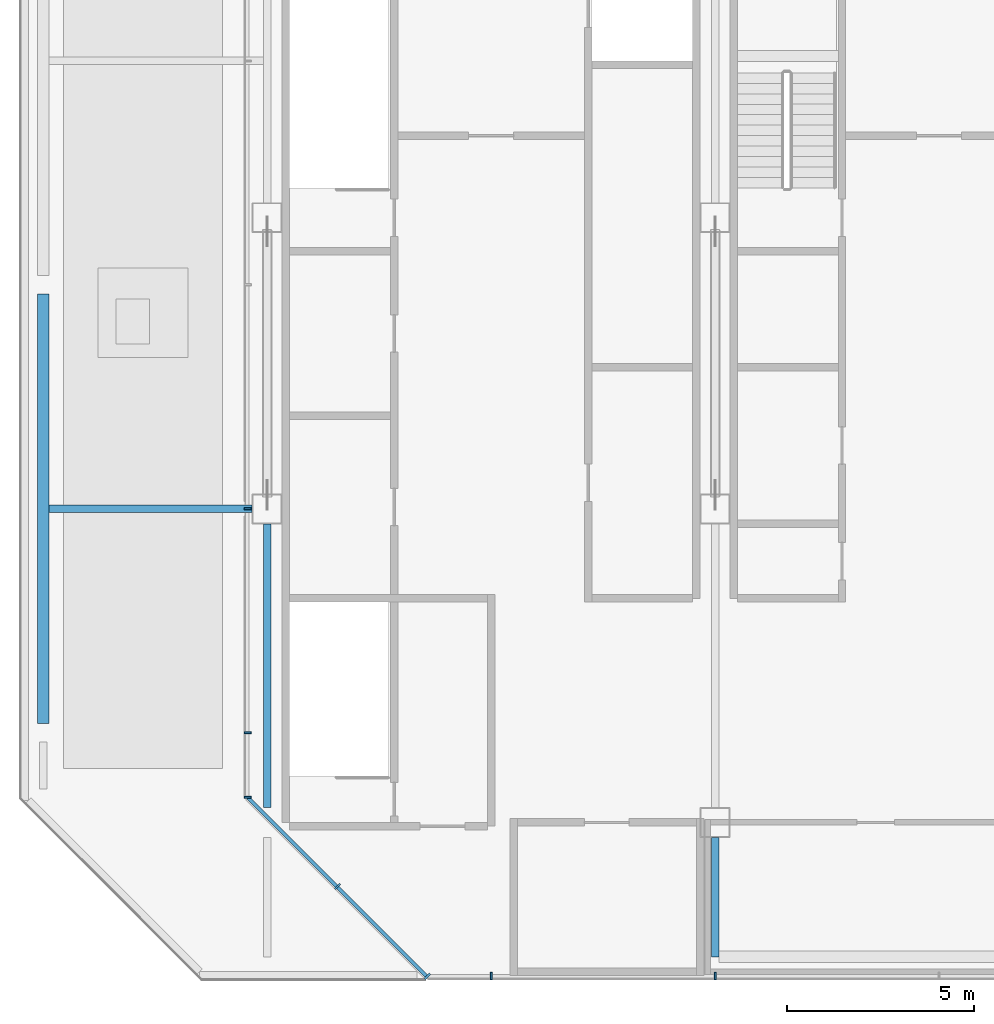
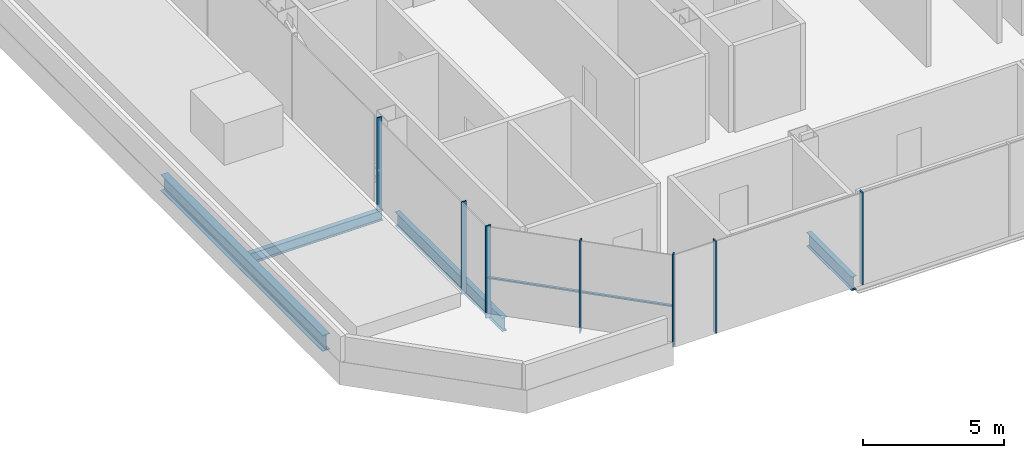
# One storey, part 2 of 12: 8 members, 4 beams, 3 elements without a shape of their own.
"""IFC4 building model written with IfcOpenShell, lengths in metres."""

import ifcopenshell
import ifcopenshell.guid

model = None  # the IFC model being written
_history = None  # IfcOwnerHistory: only IFC2X3 demands one
_inside = {}  # id of a spatial element -> (the spatial element, [elements in it])
_under = {}  # id of a project, library or spatial element -> (it, [spatial elements below it])
_declared = {}  # id of a project -> (the project, [libraries it declares])
_typed = {}  # id of a type object -> (the type object, [elements of that type])
_made_of = {}  # id of a material, layer set ... -> (it, [elements and type objects made of it])


def new_model(schema):
    """Start an empty IFC model of exactly this schema.

    Asked for "IFC4X3", IfcOpenShell would pick the latest addendum, in which some entities
    have other attributes; the version numbers below select the first issue.
    IFC2X3 requires an IfcOwnerHistory on every rooted entity: one is made here for all.
    """
    global model, _history
    if schema == "IFC4X3":
        model = ifcopenshell.file(schema_version=(4, 3, 0, 0))
    else:
        model = ifcopenshell.file(schema=schema)
    _inside.clear()
    _under.clear()
    _declared.clear()
    _typed.clear()
    _made_of.clear()
    _history = None
    if model.schema == "IFC2X3":
        org = make("IfcOrganization", Name="unknown")
        user = make(
            "IfcPersonAndOrganization",
            ThePerson=make("IfcPerson", FamilyName="unknown"),
            TheOrganization=org,
        )
        app = make(
            "IfcApplication",
            ApplicationDeveloper=org,
            Version="unknown",
            ApplicationFullName="unknown",
            ApplicationIdentifier="unknown",
        )
        _history = make(
            "IfcOwnerHistory",
            OwningUser=user,
            OwningApplication=app,
            ChangeAction="ADDED",
            CreationDate=0,
        )
    return model


def make(cls, **values):
    """One entity of the class cls with the attributes given. An attribute that is None is left unset."""
    return model.create_entity(
        cls, **{name: value for name, value in values.items() if value is not None}
    )


def rooted(cls, **values):
    """An entity with a GlobalId (a new one), such as an element, a storey or a relation."""
    return make(cls, GlobalId=ifcopenshell.guid.new(), OwnerHistory=_history, **values)


def si_unit(unit_type, name, prefix=None):
    """IfcSIUnit, for example si_unit("LENGTHUNIT", "METRE", prefix="MILLI")."""
    return make("IfcSIUnit", UnitType=unit_type, Prefix=prefix, Name=name)


def assignment(units):
    """IfcUnitAssignment: the units of a project."""
    return None if units is None else make("IfcUnitAssignment", Units=units)


def point(xyz):
    """IfcCartesianPoint."""
    return None if xyz is None else make("IfcCartesianPoint", Coordinates=xyz)


def direction(xyz):
    """IfcDirection."""
    return None if xyz is None else make("IfcDirection", DirectionRatios=xyz)


def frame(location, z_axis=None, x_axis=None):
    """IfcAxis2Placement3D, a coordinate frame: its origin and axes. An axis left out is left unset."""
    return make(
        "IfcAxis2Placement3D",
        Location=point(location),
        Axis=direction(z_axis),
        RefDirection=direction(x_axis),
    )


def frame_2d(location, x_axis=None):
    """IfcAxis2Placement2D, a coordinate frame in the plane: its origin and x axis."""
    return make(
        "IfcAxis2Placement2D", Location=point(location), RefDirection=direction(x_axis)
    )


def origin():
    """The frame at (0, 0, 0) with its axes left unset."""
    return frame((0.0, 0.0, 0.0))


def origin_2d():
    """The frame at (0, 0) in the plane with its x axis left unset."""
    return frame_2d((0.0, 0.0))


def place(relative_to, where):
    """IfcLocalPlacement: puts the frame where relative to a parent placement (None: the world)."""
    return make(
        "IfcLocalPlacement", PlacementRelTo=relative_to, RelativePlacement=where
    )


def context(
    kind, dimensions, precision=None, world=None, true_north=None, identifier=None
):
    """IfcGeometricRepresentationContext, for example the 3D "Model" context."""
    return make(
        "IfcGeometricRepresentationContext",
        ContextIdentifier=identifier,
        ContextType=kind,
        CoordinateSpaceDimension=dimensions,
        Precision=precision,
        WorldCoordinateSystem=world,
        TrueNorth=true_north,
    )


def subcontext(parent, identifier, kind, view, scale=None):
    """IfcGeometricRepresentationSubContext, for example "Body" below "Model"."""
    return make(
        "IfcGeometricRepresentationSubContext",
        ContextIdentifier=identifier,
        ContextType=kind,
        ParentContext=parent,
        TargetScale=scale,
        TargetView=view,
    )


def project(units=None, contexts=None):
    """IfcProject with its units and contexts."""
    return rooted(
        "IfcProject",
        Name="project",
        RepresentationContexts=contexts,
        UnitsInContext=assignment(units),
    )


def spatial(cls, under=None, at=None, **own):
    """A site, building, storey or space (cls), placed at a placement, below another one or the project."""
    s = rooted(cls, ObjectPlacement=at, **own)
    if under is not None:
        _under.setdefault(under.id(), (under, []))[1].append(s)
    return s


def profile(cls, at=None, kind="AREA", **sizes):
    """A parametric profile (cls). Its sizes go by their IFC names, for example OverallWidth=200.0."""
    return make(cls, ProfileType=kind, Position=at, **sizes)


def rectangle(**sizes):
    """IfcRectangleProfileDef."""
    return profile("IfcRectangleProfileDef", **sizes)


def i_section(**sizes):
    """IfcIShapeProfileDef."""
    return profile("IfcIShapeProfileDef", **sizes)


def extrude(swept, where, along, depth):
    """IfcExtrudedAreaSolid: the profile swept, set in the frame where, extruded along a direction by depth."""
    return make(
        "IfcExtrudedAreaSolid",
        SweptArea=swept,
        Position=where,
        ExtrudedDirection=direction(along),
        Depth=depth,
    )


def shape(context_of_items, identifier, shape_type, items):
    """IfcShapeRepresentation: the items that make up one representation, for example the "Body"."""
    return make(
        "IfcShapeRepresentation",
        ContextOfItems=context_of_items,
        RepresentationIdentifier=identifier,
        RepresentationType=shape_type,
        Items=items,
    )


def material(Name=None, Category=None):
    """IfcMaterial."""
    return make("IfcMaterial", Name=Name, Category=Category)


def material_profile(
    of_material, cross_section, Name=None, Category=None, Priority=None
):
    """IfcMaterialProfile: a cross section and its material."""
    return make(
        "IfcMaterialProfile",
        Name=Name,
        Material=of_material,
        Profile=cross_section,
        Priority=Priority,
        Category=Category,
    )


def profile_set(profiles, Name=None, composite=None):
    """IfcMaterialProfileSet."""
    return make(
        "IfcMaterialProfileSet",
        Name=Name,
        MaterialProfiles=profiles,
        CompositeProfile=composite,
    )


def made_of(thing, what):
    """Note that an element or type object is made of a material, layer set ...; save() writes the relation."""
    if what is not None:
        _made_of.setdefault(what.id(), (what, []))[1].append(thing)
    return thing


def type_object(cls, material=None, **own):
    """A type object (cls), such as IfcWallType, which elements share."""
    return made_of(rooted(cls, **own), material)


def element(
    cls,
    number,
    at=None,
    inside=None,
    cuts=None,
    type_object=None,
    material=None,
    context=None,
    identifier="Body",
    shape_type=None,
    held_by="IfcProductDefinitionShape",
    body=None,
    shapes=None,
    **own,
):
    """One element of the class cls, such as IfcWall. Its Tag is "e" and its number.

    at: its placement. inside: the storey or other place that contains it. cuts: it is an
    opening in that element (IfcRelVoidsElement). A single representation is given by context,
    identifier, shape_type and body (its items); several are given by shapes. held_by: the class
    of the entity that holds the representations. save() writes the other relations.
    """
    e = rooted(cls, Tag="e%d" % number, ObjectPlacement=at, **own)
    if body is not None:
        shapes = [shape(context, identifier, shape_type, body)]
    if shapes is not None:
        e.Representation = make(held_by, Representations=shapes)
    if inside is not None:
        _inside.setdefault(inside.id(), (inside, []))[1].append(e)
    if cuts is not None:
        rooted(
            "IfcRelVoidsElement", RelatingBuildingElement=cuts, RelatedOpeningElement=e
        )
    if type_object is not None:
        _typed.setdefault(type_object.id(), (type_object, []))[1].append(e)
    return made_of(e, material)


def aggregate(whole, parts):
    """IfcRelAggregates: a whole, such as a stair, and the parts it consists of."""
    return rooted("IfcRelAggregates", RelatingObject=whole, RelatedObjects=parts)


def save(model, path):
    """Write the relations noted so far, then the file.

    IfcRelAggregates (storeys below a building ...), IfcRelContainedInSpatialStructure (elements
    in a storey), IfcRelDefinesByType, IfcRelAssociatesMaterial and IfcRelDeclares: one each for
    every whole, place, type object, material and project.
    """
    for whole, parts in _under.values():
        aggregate(whole, parts)
    for where, things in _inside.values():
        rooted(
            "IfcRelContainedInSpatialStructure",
            RelatedElements=things,
            RelatingStructure=where,
        )
    for kind, things in _typed.values():
        rooted("IfcRelDefinesByType", RelatedObjects=things, RelatingType=kind)
    for what, things in _made_of.values():
        rooted("IfcRelAssociatesMaterial", RelatedObjects=things, RelatingMaterial=what)
    for by, libraries in _declared.values():
        rooted("IfcRelDeclares", RelatingContext=by, RelatedDefinitions=libraries)
    model.write(path)


model = new_model("IFC4")

# Units and contexts
model_context = context("Model", 3, precision=1e-05, world=origin(), true_north=direction((0.0, 1.0)))
body_context = subcontext(model_context, "Body", "Model", "MODEL_VIEW")
ifc_project = project(units=[si_unit("LENGTHUNIT", "METRE"), si_unit("AREAUNIT", "SQUARE_METRE"), si_unit("VOLUMEUNIT", "CUBIC_METRE"), si_unit("PLANEANGLEUNIT", "RADIAN"), si_unit("MASSUNIT", "GRAM", prefix="KILO")], contexts=[model_context])

# Site, building, storey
site_placement = place(None, origin())
site = spatial("IfcSite", under=ifc_project, at=site_placement, CompositionType="ELEMENT")
building_placement = place(site_placement, origin())
building = spatial("IfcBuilding", under=site, at=building_placement, Name="Sorahane Residences", CompositionType="ELEMENT")
storey_placement = place(building_placement, frame((0.0, 0.0, 353.800048828125)))
storey = spatial("IfcBuildingStorey", under=building, at=storey_placement, Name="L84", CompositionType="ELEMENT", Elevation=353.800048828125)

# Curtain wall, members
ifc_material_1 = material(Name="Dark low-e glass and black anodised aluminium", Category="aluminium")
curtain_wall_type = type_object("IfcCurtainWallType", Name="Curtain wall CW-6 Crown unitised wall", PredefinedType="NOTDEFINED", material=ifc_material_1)
curtain_wall_1_placement = place(storey_placement, origin())
curtain_wall_1 = element("IfcCurtainWall", 1, at=curtain_wall_1_placement, inside=storey, type_object=curtain_wall_type, Name="CW-6 curtain wall L84 S1", PredefinedType="NOTDEFINED")
ifc_material_2 = material(Name="Black anodised aluminium", Category="aluminium")
ifc_material_profile_1 = material_profile(ifc_material_2, rectangle(XDim=0.199951171875, YDim=0.050048828125, at=origin_2d()), Name="Curtain wall mullion CW-6 black anodised aluminium 50x200")
ifc_profile_set_1 = profile_set([ifc_material_profile_1], Name="Black anodised aluminium")
member_type_1 = type_object("IfcMemberType", Name="Curtain wall mullion CW-6 black anodised aluminium 50x200", PredefinedType="MULLION", material=ifc_profile_set_1)
member_1_placement = place(storey_placement, frame((12.0, 17.47998046875, -0.25), z_axis=(0.0, 0.0, 1.0), x_axis=(0.0, -1.0, 0.0)))
member_1 = element("IfcMember", 2, at=member_1_placement, type_object=member_type_1, Name="CW-6 mullion L84 S1.2", PredefinedType="MULLION", context=body_context, shape_type="SweptSolid", body=[
    extrude(rectangle(XDim=0.199951171875, YDim=0.050048828125, at=origin_2d()), origin(), (0.0, 0.0, 1.0), 4.0),
])
member_2_placement = place(storey_placement, frame((18.0, 17.47998046875, -0.25), z_axis=(0.0, 0.0, 1.0), x_axis=(0.0, -1.0, 0.0)))
member_2 = element("IfcMember", 3, at=member_2_placement, type_object=member_type_1, Name="CW-6 mullion L84 S1.3", PredefinedType="MULLION", context=body_context, shape_type="SweptSolid", body=[
    extrude(rectangle(XDim=0.199951171875, YDim=0.050048828125, at=origin_2d()), origin(), (0.0, 0.0, 1.0), 4.0),
])
aggregate(curtain_wall_1, [member_1, member_2])

curtain_wall_2_placement = place(storey_placement, origin())
curtain_wall_2 = element("IfcCurtainWall", 4, at=curtain_wall_2_placement, inside=storey, type_object=curtain_wall_type, Name="CW-6 curtain wall L84 W1", PredefinedType="NOTDEFINED")
member_3_placement = place(storey_placement, frame((5.47998046875, 30.0, -0.25), z_axis=(0.0, 0.0, 1.0), x_axis=(-1.0, 0.0, 0.0)))
member_3 = element("IfcMember", 5, at=member_3_placement, type_object=member_type_1, Name="CW-6 mullion L84 W1.4", PredefinedType="MULLION", context=body_context, shape_type="SweptSolid", body=[
    extrude(rectangle(XDim=0.199951171875, YDim=0.050048828125, at=origin_2d()), origin(), (0.0, 0.0, 1.0), 4.0),
])
member_4_placement = place(storey_placement, frame((5.47998046875, 24.0, -0.25), z_axis=(0.0, 0.0, 1.0), x_axis=(-1.0, 0.0, 0.0)))
member_4 = element("IfcMember", 6, at=member_4_placement, type_object=member_type_1, Name="CW-6 mullion L84 W1.5", PredefinedType="MULLION", context=body_context, shape_type="SweptSolid", body=[
    extrude(rectangle(XDim=0.199951171875, YDim=0.050048828125, at=origin_2d()), origin(), (0.0, 0.0, 1.0), 4.0),
])
member_5_placement = place(storey_placement, frame((5.47998046875, 22.2763671875, -0.25), z_axis=(0.0, 0.0, 1.0), x_axis=(-1.0, 0.0, 0.0)))
member_5 = element("IfcMember", 7, at=member_5_placement, type_object=member_type_1, Name="CW-6 mullion L84 W1.6", PredefinedType="MULLION", context=body_context, shape_type="SweptSolid", body=[
    extrude(rectangle(XDim=0.199951171875, YDim=0.050048828125, at=origin_2d()), origin(), (0.0, 0.0, 1.0), 4.0),
])
aggregate(curtain_wall_2, [member_3, member_4, member_5])

curtain_wall_3_placement = place(storey_placement, origin())
curtain_wall_3 = element("IfcCurtainWall", 8, at=curtain_wall_3_placement, inside=storey, type_object=curtain_wall_type, Name="CW-6 curtain wall L84 SW1", PredefinedType="NOTDEFINED")
member_6_placement = place(storey_placement, frame((7.88232421875, 19.88232421875, -0.25), z_axis=(0.0, 0.0, 1.0), x_axis=(-0.707106781187, -0.707106781187, 0.0)))
member_6 = element("IfcMember", 9, at=member_6_placement, type_object=member_type_1, Name="CW-6 mullion L84 SW1.2", PredefinedType="MULLION", context=body_context, shape_type="SweptSolid", body=[
    extrude(rectangle(XDim=0.199951171875, YDim=0.050048828125, at=origin_2d()), origin(), (0.0, 0.0, 1.0), 4.0),
])
member_7_placement = place(storey_placement, frame((10.290283203125, 17.474365234375, -0.25), z_axis=(0.0, 0.0, 1.0), x_axis=(-0.707106781187, -0.707106781187, 0.0)))
member_7 = element("IfcMember", 10, at=member_7_placement, type_object=member_type_1, Name="CW-6 mullion L84 SW1.3", PredefinedType="MULLION", context=body_context, shape_type="SweptSolid", body=[
    extrude(rectangle(XDim=0.199951171875, YDim=0.050048828125, at=origin_2d()), origin(), (0.0, 0.0, 1.0), 4.0),
])
ifc_material_3 = material(Name="Black anodised aluminium", Category="aluminium")
ifc_material_profile_2 = material_profile(ifc_material_3, rectangle(XDim=0.10009765625, YDim=0.06005859375, at=origin_2d()), Name="Curtain wall transom CW-6 black anodised aluminium 60x100")
ifc_profile_set_2 = profile_set([ifc_material_profile_2], Name="Black anodised aluminium")
member_type_2 = type_object("IfcMemberType", Name="Curtain wall transom CW-6 black anodised aluminium 60x100", PredefinedType="USERDEFINED", material=ifc_profile_set_2)
member_8_placement = place(storey_placement, frame((5.48486328125, 22.265625, 1.5), z_axis=(0.707106781187, -0.707106781187, 0.0), x_axis=(0.707106781187, 0.707106781187, 0.0)))
member_8 = element("IfcMember", 11, at=member_8_placement, type_object=member_type_2, Name="CW-6 transom L84 SW1", ObjectType="TRANSOM", PredefinedType="USERDEFINED", context=body_context, shape_type="SweptSolid", body=[
    extrude(rectangle(XDim=0.10009765625, YDim=0.06005859375, at=origin_2d()), origin(), (0.0, 0.0, 1.0), 6.760986328125),
])
aggregate(curtain_wall_3, [member_6, member_7, member_8])

# Beams
ifc_material_4 = material(Name="Steel Q355B", Category="steel")
ifc_material_profile_3 = material_profile(ifc_material_4, i_section(OverallWidth=0.199951171875, OverallDepth=0.449951171875, WebThickness=0.009033203125, FlangeThickness=0.013916015625, FilletRadius=0.02001953125, at=origin_2d()), Name="HN 450x200x9x14")
ifc_profile_set_3 = profile_set([ifc_material_profile_3], Name="Steel Q355B")
beam_type_1 = type_object("IfcBeamType", Name="Steel floor beam HN 450x200x9x14 Q355B", PredefinedType="BEAM", material=ifc_profile_set_3)
beam_1_placement = place(storey_placement, frame((0.14990234375, 30.0, -0.47509765625), z_axis=(1.0, 0.0, 0.0), x_axis=(0.0, 1.0, 0.0)))
element("IfcBeam", 12, at=beam_1_placement, inside=storey, type_object=beam_type_1, Name="Beam L84 027", PredefinedType="BEAM", context=body_context, shape_type="SweptSolid", body=[
    extrude(i_section(OverallWidth=0.199951171875, OverallDepth=0.449951171875, WebThickness=0.009033203125, FlangeThickness=0.013916015625, FilletRadius=0.02001953125, at=origin_2d()), origin(), (0.0, 0.0, 1.0), 5.4501953125),
])
ifc_material_5 = material(Name="Steel Q355B", Category="steel")
ifc_material_profile_4 = material_profile(ifc_material_5, i_section(OverallWidth=0.199951171875, OverallDepth=0.60009765625, WebThickness=0.010986328125, FlangeThickness=0.01708984375, FilletRadius=0.02392578125, at=origin_2d()), Name="HN 600x200x11x17")
ifc_profile_set_4 = profile_set([ifc_material_profile_4], Name="Steel Q355B")
beam_type_2 = type_object("IfcBeamType", Name="Steel floor beam HN 600x200x11x17 Q355B", PredefinedType="BEAM", material=ifc_profile_set_4)
beam_2_placement = place(storey_placement, frame((6.0, 22.0, -0.550048828125), z_axis=(0.0, 1.0, 0.0), x_axis=(-1.0, 0.0, 0.0)))
element("IfcBeam", 13, at=beam_2_placement, inside=storey, type_object=beam_type_2, Name="Beam L84 007", PredefinedType="BEAM", context=body_context, shape_type="SweptSolid", body=[
    extrude(i_section(OverallWidth=0.199951171875, OverallDepth=0.60009765625, WebThickness=0.010986328125, FlangeThickness=0.01708984375, FilletRadius=0.02392578125, at=origin_2d()), origin(), (0.0, 0.0, 1.0), 7.60009765625),
])
beam_3_placement = place(storey_placement, frame((18.0, 18.0, -0.550048828125), z_axis=(0.0, 1.0, 0.0), x_axis=(-1.0, 0.0, 0.0)))
element("IfcBeam", 14, at=beam_3_placement, inside=storey, type_object=beam_type_2, Name="Beam L84 016", PredefinedType="BEAM", context=body_context, shape_type="SweptSolid", body=[
    extrude(i_section(OverallWidth=0.199951171875, OverallDepth=0.60009765625, WebThickness=0.010986328125, FlangeThickness=0.01708984375, FilletRadius=0.02392578125, at=origin_2d()), origin(), (0.0, 0.0, 1.0), 3.199951171875),
])
ifc_material_6 = material(Name="Steel Q355B", Category="steel")
ifc_material_profile_5 = material_profile(ifc_material_6, i_section(OverallWidth=0.300048828125, OverallDepth=0.699951171875, WebThickness=0.012939453125, FlangeThickness=0.02392578125, FilletRadius=0.028076171875, at=origin_2d()), Name="HN 700x300x13x24")
ifc_profile_set_5 = profile_set([ifc_material_profile_5], Name="Steel Q355B")
beam_type_3 = type_object("IfcBeamType", Name="Steel floor beam HN 700x300x13x24 Q355B", PredefinedType="BEAM", material=ifc_profile_set_5)
beam_4_placement = place(storey_placement, frame((0.0, 24.25, -0.60009765625), z_axis=(0.0, 1.0, 0.0), x_axis=(-1.0, 0.0, 0.0)))
element("IfcBeam", 15, at=beam_4_placement, inside=storey, type_object=beam_type_3, Name="Beam L84 004", PredefinedType="BEAM", context=body_context, shape_type="SweptSolid", body=[
    extrude(i_section(OverallWidth=0.300048828125, OverallDepth=0.699951171875, WebThickness=0.012939453125, FlangeThickness=0.02392578125, FilletRadius=0.028076171875, at=origin_2d()), origin(), (0.0, 0.0, 1.0), 11.5),
])

save(model, "model.ifc")
